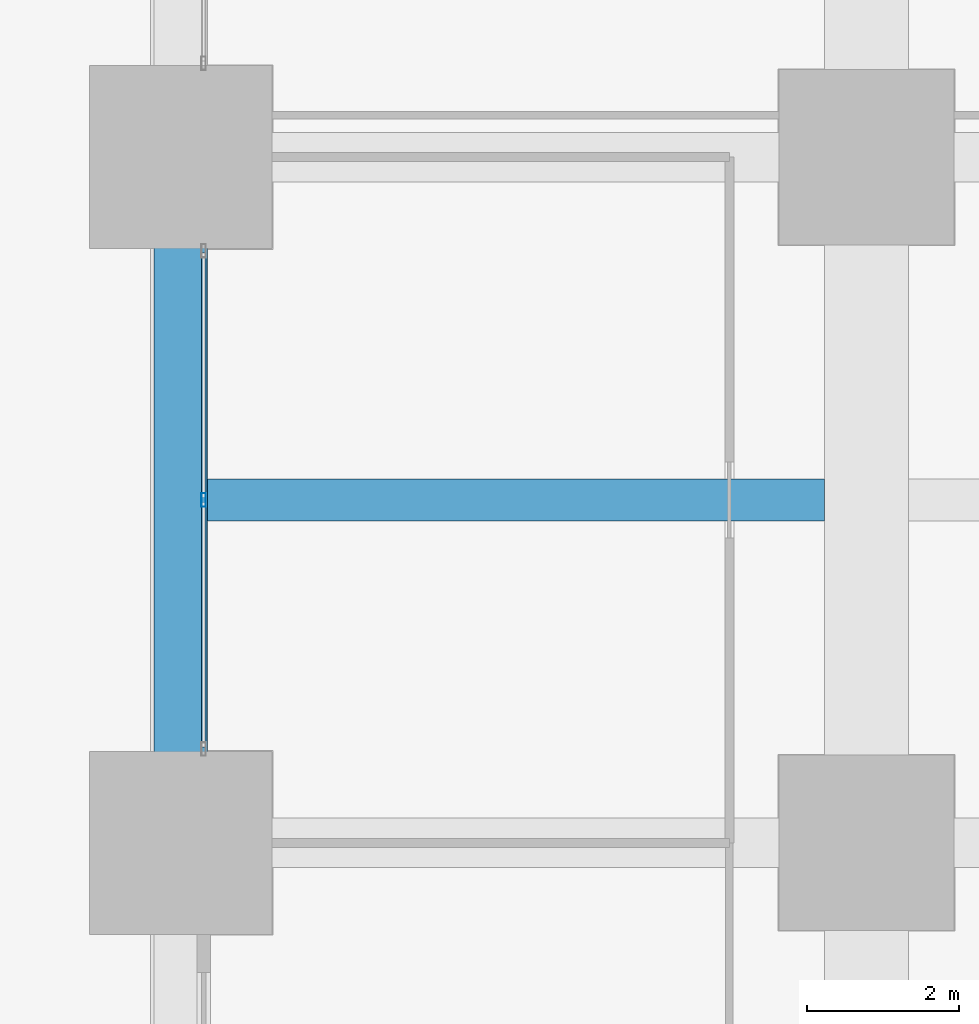
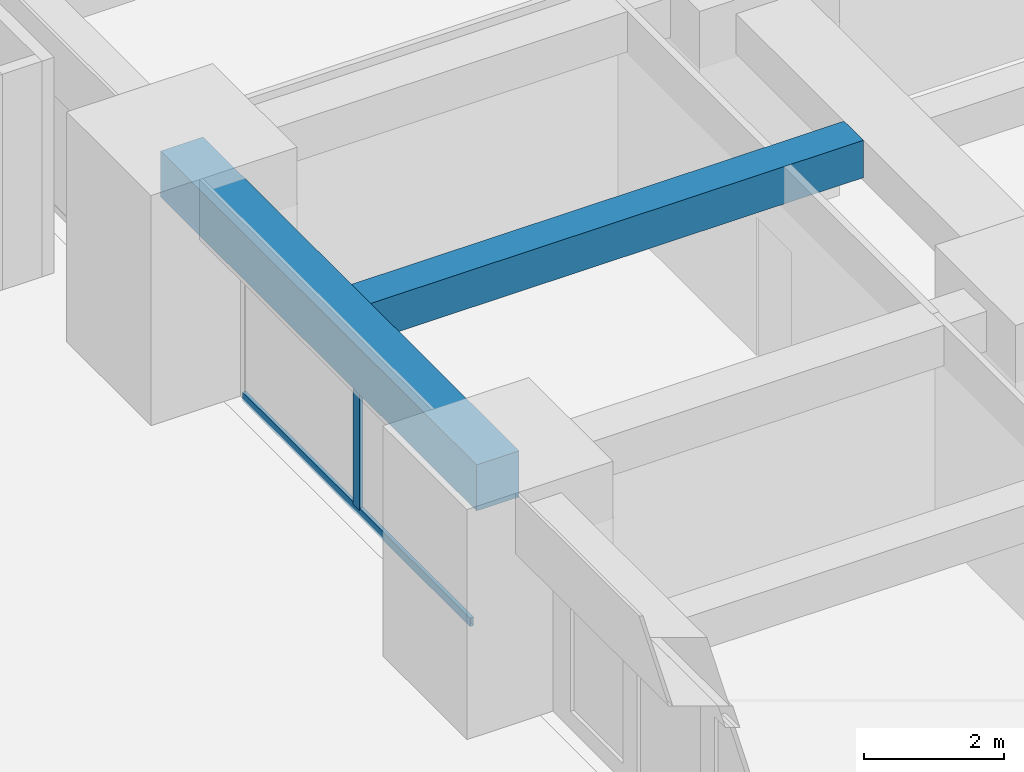
# One storey, part 8 of 38: 2 beams, 2 members, 1 element without a shape of its own.
"""IFC4 building model written with IfcOpenShell, lengths in metres."""

from ifc_helpers import new_model, si_unit, direction, frame, origin, origin_2d, place, context, subcontext, project, spatial, rectangle, hollow_rectangle, extrude, material, material_profile, profile_set, type_object, element, aggregate, save


model = new_model("IFC4")

# Units and contexts
model_context = context("Model", 3, precision=1e-05, world=origin(), true_north=direction((0.0, 1.0)))
body_context = subcontext(model_context, "Body", "Model", "MODEL_VIEW")
ifc_project = project(units=[si_unit("LENGTHUNIT", "METRE"), si_unit("AREAUNIT", "SQUARE_METRE"), si_unit("VOLUMEUNIT", "CUBIC_METRE"), si_unit("PLANEANGLEUNIT", "RADIAN"), si_unit("MASSUNIT", "GRAM", prefix="KILO")], contexts=[model_context])

# Site, building, storey
site_placement = place(None, origin())
site = spatial("IfcSite", under=ifc_project, at=site_placement, CompositionType="ELEMENT")
building_placement = place(site_placement, origin())
building = spatial("IfcBuilding", under=site, at=building_placement, Name="Zorevar Civic Tower", CompositionType="ELEMENT")
storey_placement = place(building_placement, frame((0.0, 0.0, 15.800048828125)))
storey = spatial("IfcBuildingStorey", under=building, at=storey_placement, Name="L03", CompositionType="ELEMENT", Elevation=15.800048828125)

# Beam
ifc_material_1 = material(Name="Concrete C50/60", Category="concrete")
ifc_material_profile_1 = material_profile(ifc_material_1, rectangle(XDim=0.550048828125, YDim=0.64990234375, at=origin_2d()), Name="RC 550x650")
ifc_profile_set_1 = profile_set([ifc_material_profile_1], Name="Concrete C50/60")
beam_type_1 = type_object("IfcBeamType", Name="Beam RC 550x650", PredefinedType="BEAM", material=ifc_profile_set_1)
beam_1_placement = place(storey_placement, frame((0.35009765625, 31.5, 3.425048828125), z_axis=(1.0, 0.0, 0.0), x_axis=(0.0, 1.0, 0.0)))
element("IfcBeam", 1, at=beam_1_placement, inside=storey, type_object=beam_type_1, Name="Secondary beam L04", PredefinedType="BEAM", context=body_context, shape_type="SweptSolid", body=[
    extrude(rectangle(XDim=0.550048828125, YDim=0.64990234375, at=origin_2d()), origin(), (0.0, 0.0, 1.0), 8.099853515625),
])

# Curtain wall, members
ifc_material_2 = material(Name="Dark grey solar-control glass in black aluminium frame", Category="aluminium")
curtain_wall_type = type_object("IfcCurtainWallType", Name="Curtain wall CW2 low zone", PredefinedType="NOTDEFINED", material=ifc_material_2)
curtain_wall_placement = place(storey_placement, origin())
curtain_wall = element("IfcCurtainWall", 2, at=curtain_wall_placement, inside=storey, type_object=curtain_wall_type, Name="CW2 L03", PredefinedType="NOTDEFINED")
ifc_material_3 = material(Name="Aluminium, black anodised", Category="aluminium")
ifc_material_profile_2 = material_profile(ifc_material_3, hollow_rectangle(XDim=0.06005859375, YDim=0.179931640625, WallThickness=0.00390625, at=origin_2d()), Name="AL 180x60x4")
ifc_profile_set_2 = profile_set([ifc_material_profile_2], Name="Aluminium, black anodised")
member_type_1 = type_object("IfcMemberType", Name="CW2 mullion AL 180x60x4", PredefinedType="MULLION", material=ifc_profile_set_2)
member_1_placement = place(storey_placement, frame((0.300048828125, 31.5, 0.06005859375), z_axis=(0.0, 0.0, 1.0), x_axis=(-1.0, 0.0, 0.0)))
member_1 = element("IfcMember", 3, at=member_1_placement, type_object=member_type_1, Name="CW2 mullion 2", PredefinedType="MULLION", context=body_context, shape_type="SweptSolid", body=[
    extrude(hollow_rectangle(XDim=0.06005859375, YDim=0.179931640625, WallThickness=0.00390625, at=origin_2d()), origin(), (0.0, 0.0, 1.0), 2.889892578125),
])
ifc_material_4 = material(Name="Aluminium, black anodised", Category="aluminium")
ifc_material_profile_3 = material_profile(ifc_material_4, hollow_rectangle(XDim=0.06005859375, YDim=0.14990234375, WallThickness=0.00390625, at=origin_2d()), Name="AL 150x60x4")
ifc_profile_set_3 = profile_set([ifc_material_profile_3], Name="Aluminium, black anodised")
member_type_2 = type_object("IfcMemberType", Name="CW2 transom AL 150x60x4", PredefinedType="USERDEFINED", material=ifc_profile_set_3)
member_2_placement = place(storey_placement, frame((0.300048828125, 28.260009765625, 0.030029296875), z_axis=(0.0, 1.0, 0.0), x_axis=(-1.0, 0.0, 0.0)))
member_2 = element("IfcMember", 4, at=member_2_placement, type_object=member_type_2, Name="CW2 sill transom", ObjectType="TRANSOM", PredefinedType="USERDEFINED", context=body_context, shape_type="SweptSolid", body=[
    extrude(hollow_rectangle(XDim=0.06005859375, YDim=0.14990234375, WallThickness=0.00390625, at=origin_2d()), origin(), (0.0, 0.0, 1.0), 6.47998046875),
])
aggregate(curtain_wall, [member_1, member_2])

# Beam
ifc_material_5 = material(Name="Concrete C50/60", Category="concrete")
ifc_material_profile_4 = material_profile(ifc_material_5, rectangle(XDim=0.699951171875, YDim=0.800048828125, at=origin_2d()), Name="RC 700x800")
ifc_profile_set_4 = profile_set([ifc_material_profile_4], Name="Concrete C50/60")
beam_type_2 = type_object("IfcBeamType", Name="Edge beam RC 700x800", PredefinedType="SPANDREL", material=ifc_profile_set_4)
beam_2_placement = place(storey_placement, frame((0.0, 27.0, 3.349853515625), z_axis=(0.0, 1.0, 0.0), x_axis=(-1.0, 0.0, 0.0)))
element("IfcBeam", 5, at=beam_2_placement, inside=storey, type_object=beam_type_2, Name="Edge beam L04", PredefinedType="SPANDREL", context=body_context, shape_type="SweptSolid", body=[
    extrude(rectangle(XDim=0.699951171875, YDim=0.800048828125, at=origin_2d()), origin(), (0.0, 0.0, 1.0), 9.0),
])

save(model, "model.ifc")
